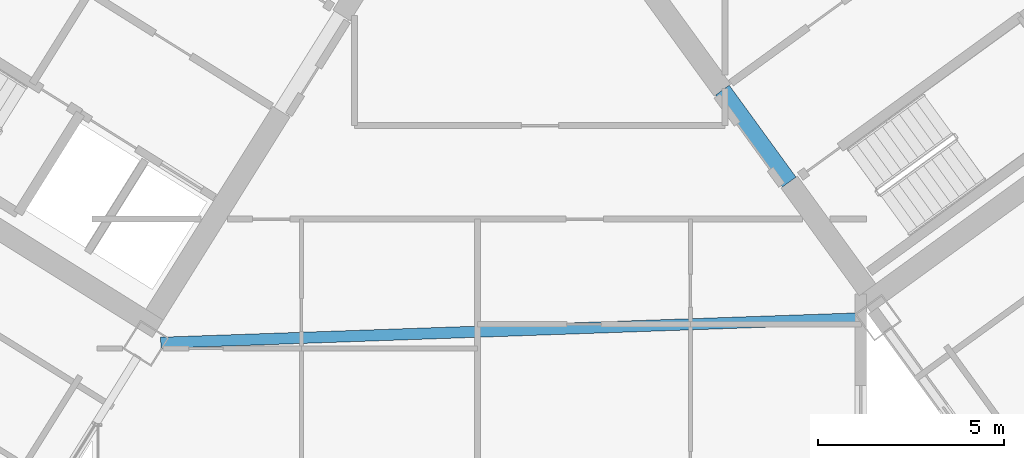
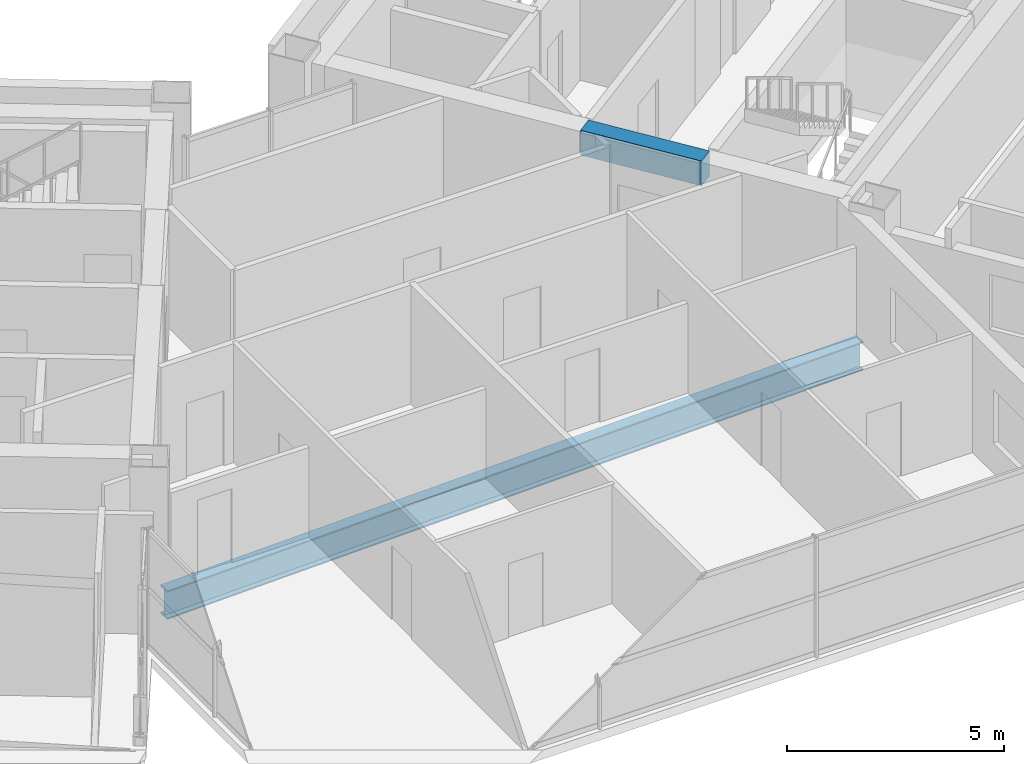
# One storey, part 9 of 25: 2 beams.
"""IFC4 building model written with IfcOpenShell, lengths in metres."""

from ifc_helpers import new_model, si_unit, direction, frame, origin, origin_2d, place, context, subcontext, project, spatial, rectangle, i_section, extrude, source, transform, mapped, material, material_profile, profile_set, type_object, element, save


model = new_model("IFC4")

# Units and contexts
model_context = context("Model", 3, precision=1e-05, world=origin(), true_north=direction((0.0, 1.0)))
body_context = subcontext(model_context, "Body", "Model", "MODEL_VIEW")
ifc_project = project(units=[si_unit("LENGTHUNIT", "METRE"), si_unit("AREAUNIT", "SQUARE_METRE"), si_unit("VOLUMEUNIT", "CUBIC_METRE"), si_unit("PLANEANGLEUNIT", "RADIAN"), si_unit("MASSUNIT", "GRAM", prefix="KILO")], contexts=[model_context])

# Site, building, storey
site_placement = place(None, origin())
site = spatial("IfcSite", under=ifc_project, at=site_placement, CompositionType="ELEMENT")
building_placement = place(site_placement, origin())
building = spatial("IfcBuilding", under=site, at=building_placement, Name="Tlacorven Tower", CompositionType="ELEMENT")
storey_placement = place(building_placement, frame((0.0, 0.0, 162.300048828125)))
storey = spatial("IfcBuildingStorey", under=building, at=storey_placement, Name="L41", CompositionType="ELEMENT", Elevation=162.300048828125)

# Beams
ifc_material_1 = material(Name="Concrete C60/75", Category="concrete")
ifc_material_profile_1 = material_profile(ifc_material_1, rectangle(XDim=0.449951171875, YDim=0.699951171875, at=origin_2d()), Name="RC 450X700")
ifc_profile_set_1 = profile_set([ifc_material_profile_1], Name="Concrete C60/75")
beam_type_1 = type_object("IfcBeamType", Name="BM-LNT-700", PredefinedType="LINTEL", material=ifc_profile_set_1)
shared_shape_1 = source(origin(), body_context, "Body", "SweptSolid", [
    extrude(rectangle(XDim=0.449951171875, YDim=0.699951171875, at=origin_2d()), origin(), (0.0, 0.0, 1.0), 3.050048828125),
])
beam_1_placement = place(storey_placement, frame((50.318359375, 16.416015625, 3.0), z_axis=(-0.587776590479, 0.80902328748, 0.0), x_axis=(-0.80902328748, -0.587776590479, 0.0)))
element("IfcBeam", 1, at=beam_1_placement, inside=storey, type_object=beam_type_1, Name="L41 E core coupling lintel beam E1", PredefinedType="LINTEL", context=body_context, shape_type="MappedRepresentation", body=[
    mapped(shared_shape_1, transform((0.0, 0.0, 0.0), scale=1.0)),
])
ifc_material_2 = material(Name="Steel S355J2", Category="steel")
ifc_material_profile_2 = material_profile(ifc_material_2, i_section(OverallWidth=0.300048828125, OverallDepth=0.800048828125, WebThickness=0.017578125, FlangeThickness=0.032958984375, at=origin_2d()), Name="HEB 800")
ifc_profile_set_2 = profile_set([ifc_material_profile_2], Name="Steel S355J2")
beam_type_2 = type_object("IfcBeamType", Name="BM-POD-800", PredefinedType="BEAM", material=ifc_profile_set_2)
shared_shape_2 = source(origin(), body_context, "Body", "SweptSolid", [
    extrude(i_section(OverallWidth=0.300048828125, OverallDepth=0.800048828125, WebThickness=0.017578125, FlangeThickness=0.032958984375, at=origin_2d()), origin(), (0.0, 0.0, 1.0), 18.871337890625),
])
beam_2_placement = place(storey_placement, frame((33.44580078125, 12.100830078125, -0.650146484375), z_axis=(0.999390659804, 0.034904284792, 0.0), x_axis=(-0.034904284792, 0.999390659804, 0.0)))
element("IfcBeam", 2, at=beam_2_placement, inside=storey, type_object=beam_type_2, Name="L41 Knuckle Link Girder 2", PredefinedType="BEAM", context=body_context, shape_type="MappedRepresentation", body=[
    mapped(shared_shape_2, transform((0.0, 0.0, 0.0), scale=1.0)),
])

save(model, "model.ifc")
